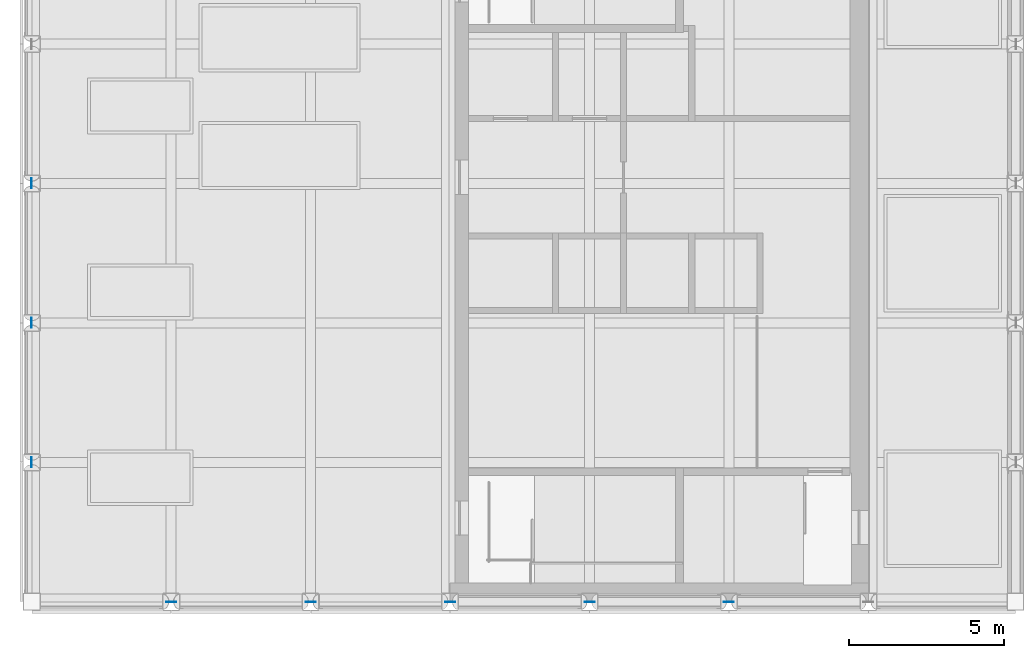
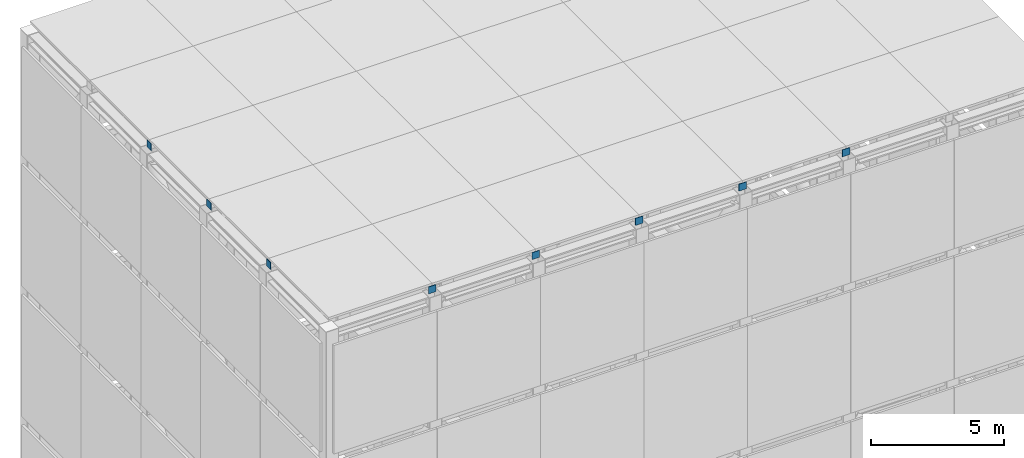
# One storey, part 3 of 11: 8 plates.
"""IFC4 building model written with IfcOpenShell, lengths in metres."""

from ifc_helpers import new_model, si_unit, direction, frame, origin, origin_2d, place, context, subcontext, project, spatial, rectangle, extrude, material, layer, layer_set, type_object, element, save


model = new_model("IFC4")

# Units and contexts
model_context = context("Model", 3, precision=1e-05, world=origin(), true_north=direction((0.0, 1.0)))
body_context = subcontext(model_context, "Body", "Model", "MODEL_VIEW")
ifc_project = project(units=[si_unit("LENGTHUNIT", "METRE"), si_unit("AREAUNIT", "SQUARE_METRE"), si_unit("VOLUMEUNIT", "CUBIC_METRE"), si_unit("PLANEANGLEUNIT", "RADIAN"), si_unit("MASSUNIT", "GRAM", prefix="KILO")], contexts=[model_context])

# Site, building, storey
site_placement = place(None, origin())
site = spatial("IfcSite", under=ifc_project, at=site_placement, CompositionType="ELEMENT")
building_placement = place(site_placement, origin())
building = spatial("IfcBuilding", under=site, at=building_placement, Name="Sennacour Bend Tower", CompositionType="ELEMENT")
storey_placement = place(building_placement, frame((0.0, 0.0, 355.5)))
storey = spatial("IfcBuildingStorey", under=building, at=storey_placement, Name="RF", CompositionType="ELEMENT", Elevation=355.5)

# Plates
ifc_material = material(Name="Steel ASTM A572 Grade 50", Category="steel")
ifc_layer = layer(ifc_material, 0.02001953125, Name="Steel ASTM A572 Grade 50", Category="steel")
ifc_layer_set = layer_set([ifc_layer], Name="Steel ASTM A572 Grade 50")
plate_type = type_object("IfcPlateType", Name="Crown rafter end plate 20", PredefinedType="USERDEFINED", material=ifc_layer_set)
for number, where, z_axis, x_axis, name in (
    (1, (45.0, -0.010009765625, 23.67626953125), (0.0, 0.0, 1.0), (1.0, 0.0, 0.0), "CROWN FRAME rafter end plate CFP-001"),
    (2, (49.5, -0.010009765625, 23.67626953125), (0.0, 0.0, 1.0), (1.0, 0.0, 0.0), "CROWN FRAME rafter end plate CFP-003"),
    (3, (54.0, -0.010009765625, 23.67626953125), (0.0, 0.0, 1.0), (1.0, 0.0, 0.0), "CROWN FRAME rafter end plate CFP-005"),
    (4, (58.5, -0.010009765625, 23.67626953125), (0.0, 0.0, 1.0), (1.0, 0.0, 0.0), "CROWN FRAME rafter end plate CFP-007"),
    (5, (63.0, -0.010009765625, 23.67626953125), (0.0, 0.0, 1.0), (1.0, 0.0, 0.0), "CROWN FRAME rafter end plate CFP-009"),
):
    element("IfcPlate", number, at=place(storey_placement, frame(where, z_axis=z_axis, x_axis=x_axis)), inside=storey, type_object=plate_type, Name=name, ObjectType="END PLATE", PredefinedType="USERDEFINED", context=body_context, shape_type="SweptSolid", body=[
        extrude(rectangle(XDim=0.323974609375, YDim=0.02001953125, at=origin_2d()), origin(), (0.0, 0.0, 1.0), 0.323974609375),
    ])
for number, where, z_axis, x_axis, name in (
    (6, (40.489990234375, 4.5, 23.67626953125), (0.0, 0.0, 1.0), (1.0, 0.0, 0.0), "CROWN FRAME rafter end plate CFP-013"),
    (7, (40.489990234375, 9.0, 23.67626953125), (0.0, 0.0, 1.0), (1.0, 0.0, 0.0), "CROWN FRAME rafter end plate CFP-015"),
    (8, (40.489990234375, 13.5, 23.67626953125), (0.0, 0.0, 1.0), (1.0, 0.0, 0.0), "CROWN FRAME rafter end plate CFP-017"),
):
    element("IfcPlate", number, at=place(storey_placement, frame(where, z_axis=z_axis, x_axis=x_axis)), inside=storey, type_object=plate_type, Name=name, ObjectType="END PLATE", PredefinedType="USERDEFINED", context=body_context, shape_type="SweptSolid", body=[
        extrude(rectangle(XDim=0.02001953125, YDim=0.323974609375, at=origin_2d()), origin(), (0.0, 0.0, 1.0), 0.323974609375),
    ])

save(model, "model.ifc")
